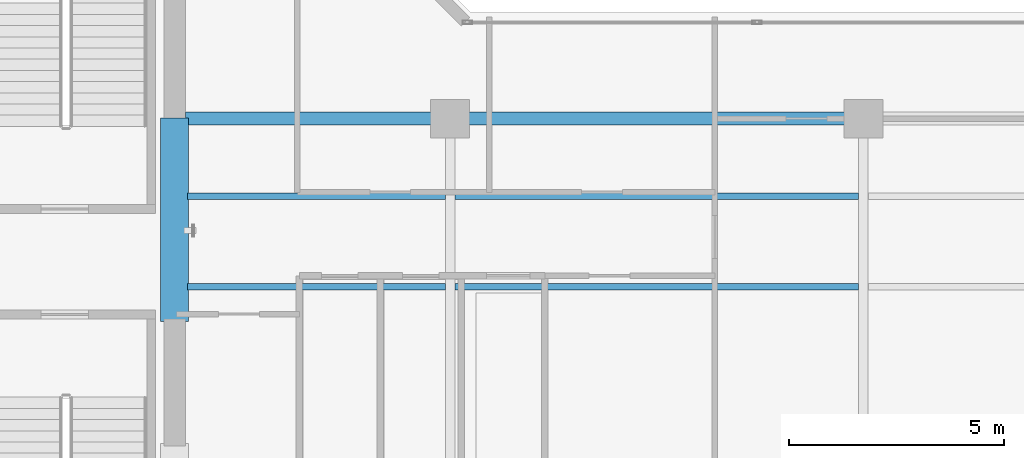
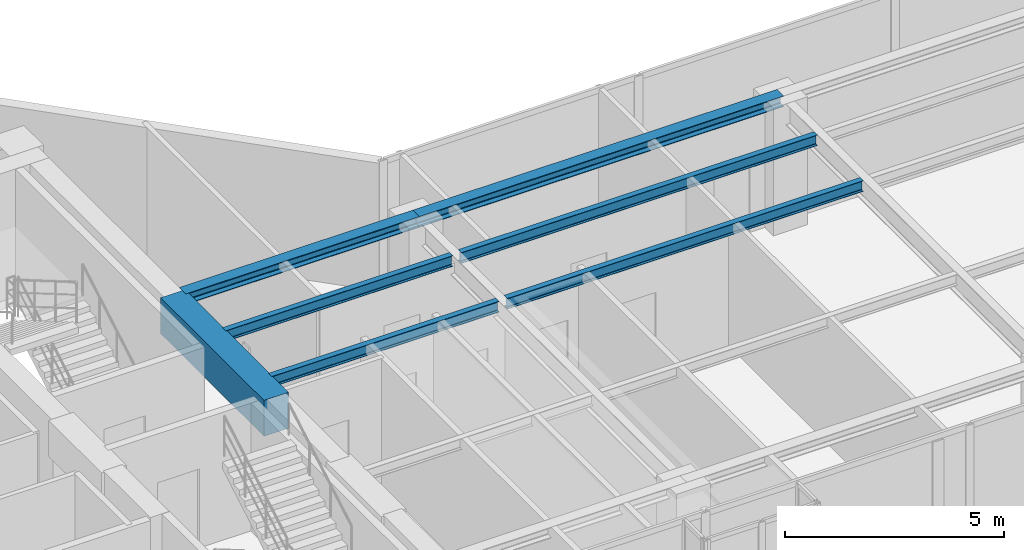
# One storey, part 6 of 22: 7 beams.
"""IFC4 building model written with IfcOpenShell, lengths in metres."""

from ifc_helpers import new_model, si_unit, direction, frame, origin, origin_2d, place, context, subcontext, project, spatial, rectangle, i_section, extrude, material, material_profile, profile_set, type_object, element, save


model = new_model("IFC4")

# Units and contexts
model_context = context("Model", 3, precision=1e-05, world=origin(), true_north=direction((0.0, 1.0)))
body_context = subcontext(model_context, "Body", "Model", "MODEL_VIEW")
ifc_project = project(units=[si_unit("LENGTHUNIT", "METRE"), si_unit("AREAUNIT", "SQUARE_METRE"), si_unit("VOLUMEUNIT", "CUBIC_METRE"), si_unit("PLANEANGLEUNIT", "RADIAN"), si_unit("MASSUNIT", "GRAM", prefix="KILO")], contexts=[model_context])

# Site, building, storey
site_placement = place(None, origin())
site = spatial("IfcSite", under=ifc_project, at=site_placement, CompositionType="ELEMENT")
building_placement = place(site_placement, origin())
building = spatial("IfcBuilding", under=site, at=building_placement, Name="Kolvaren Waterfront Exchange", CompositionType="ELEMENT")
storey_placement = place(building_placement, frame((0.0, 0.0, 308.39990234375)))
storey = spatial("IfcBuildingStorey", under=building, at=storey_placement, Name="L79", CompositionType="ELEMENT", Elevation=308.39990234375)

# Beams
ifc_material_1 = material(Name="Steel S355", Category="steel")
ifc_material_profile_1 = material_profile(ifc_material_1, i_section(OverallWidth=0.300048828125, OverallDepth=0.300048828125, WebThickness=0.010986328125, FlangeThickness=0.01904296875, FilletRadius=0.027099609375, at=origin_2d()), Name="HEB300")
ifc_profile_set_1 = profile_set([ifc_material_profile_1], Name="Steel S355")
beam_type_1 = type_object("IfcBeamType", Name="STR-BM-HEB300", PredefinedType="SPANDREL", material=ifc_profile_set_1)
beam_1_placement = place(storey_placement, frame((21.050048828125, 17.39990234375, 3.41015625), z_axis=(1.0, 0.0, 0.0), x_axis=(0.0, 1.0, 0.0)))
element("IfcBeam", 1, at=beam_1_placement, inside=storey, type_object=beam_type_1, Name="L79 east-arm spandrel N1", PredefinedType="SPANDREL", context=body_context, shape_type="SweptSolid", body=[
    extrude(i_section(OverallWidth=0.300048828125, OverallDepth=0.300048828125, WebThickness=0.010986328125, FlangeThickness=0.01904296875, FilletRadius=0.027099609375, at=origin_2d()), origin(), (0.0, 0.0, 1.0), 6.14990234375),
])
beam_2_placement = place(storey_placement, frame((27.199951171875, 17.39990234375, 3.41015625), z_axis=(1.0, 0.0, 0.0), x_axis=(0.0, 1.0, 0.0)))
element("IfcBeam", 2, at=beam_2_placement, inside=storey, type_object=beam_type_1, Name="L79 east-arm spandrel N2", PredefinedType="SPANDREL", context=body_context, shape_type="SweptSolid", body=[
    extrude(i_section(OverallWidth=0.300048828125, OverallDepth=0.300048828125, WebThickness=0.010986328125, FlangeThickness=0.01904296875, FilletRadius=0.027099609375, at=origin_2d()), origin(), (0.0, 0.0, 1.0), 9.60009765625),
])
ifc_material_profile_2 = material_profile(ifc_material_1, i_section(OverallWidth=0.14990234375, OverallDepth=0.300048828125, WebThickness=0.007080078125, FlangeThickness=0.0107421875, FilletRadius=0.014892578125, at=origin_2d()), Name="IPE300")
ifc_profile_set_2 = profile_set([ifc_material_profile_2], Name="Steel S355")
beam_type_2 = type_object("IfcBeamType", Name="STR-BM-IPE300", PredefinedType="JOIST", material=ifc_profile_set_2)
for number, where, z_axis, x_axis, name in (
    (3, (21.10009765625, 13.5, 3.41015625), (1.0, 0.0, 0.0), (0.0, 1.0, 0.0), "L79 east-arm composite joist 1A"),
    (4, (21.10009765625, 15.60009765625, 3.41015625), (1.0, 0.0, 0.0), (0.0, 1.0, 0.0), "L79 east-arm composite joist 1C"),
):
    element("IfcBeam", number, at=place(storey_placement, frame(where, z_axis=z_axis, x_axis=x_axis)), inside=storey, type_object=beam_type_2, Name=name, PredefinedType="JOIST", context=body_context, shape_type="SweptSolid", body=[
        extrude(i_section(OverallWidth=0.14990234375, OverallDepth=0.300048828125, WebThickness=0.007080078125, FlangeThickness=0.0107421875, FilletRadius=0.014892578125, at=origin_2d()), origin(), (0.0, 0.0, 1.0), 5.98779296875),
    ])
for number, where, z_axis, x_axis, name in (
    (5, (27.31201171875, 13.5, 3.41015625), (1.0, 0.0, 0.0), (0.0, 1.0, 0.0), "L79 east-arm composite joist 2A"),
    (6, (27.31201171875, 15.60009765625, 3.41015625), (1.0, 0.0, 0.0), (0.0, 1.0, 0.0), "L79 east-arm composite joist 2C"),
):
    element("IfcBeam", number, at=place(storey_placement, frame(where, z_axis=z_axis, x_axis=x_axis)), inside=storey, type_object=beam_type_2, Name=name, PredefinedType="JOIST", context=body_context, shape_type="SweptSolid", body=[
        extrude(i_section(OverallWidth=0.14990234375, OverallDepth=0.300048828125, WebThickness=0.007080078125, FlangeThickness=0.0107421875, FilletRadius=0.014892578125, at=origin_2d()), origin(), (0.0, 0.0, 1.0), 9.3759765625),
    ])
ifc_material_2 = material(Name="Concrete C60/75", Category="concrete")
ifc_material_profile_3 = material_profile(ifc_material_2, rectangle(XDim=0.64990234375, YDim=1.0, at=origin_2d()), Name="RC-CB-1000x650")
ifc_profile_set_3 = profile_set([ifc_material_profile_3], Name="Concrete C60/75")
beam_type_3 = type_object("IfcBeamType", Name="STR-CB-1000", PredefinedType="SPANDREL", material=ifc_profile_set_3)
beam_3_placement = place(storey_placement, frame((20.800048828125, 12.68994140625, 3.06005859375), z_axis=(0.0, 1.0, 0.0), x_axis=(-1.0, 0.0, 0.0)))
element("IfcBeam", 7, at=beam_3_placement, inside=storey, type_object=beam_type_3, Name="L79 core coupling beam 2", PredefinedType="SPANDREL", context=body_context, shape_type="SweptSolid", body=[
    extrude(rectangle(XDim=0.64990234375, YDim=1.0, at=origin_2d()), origin(), (0.0, 0.0, 1.0), 4.719970703125),
])

save(model, "model.ifc")
